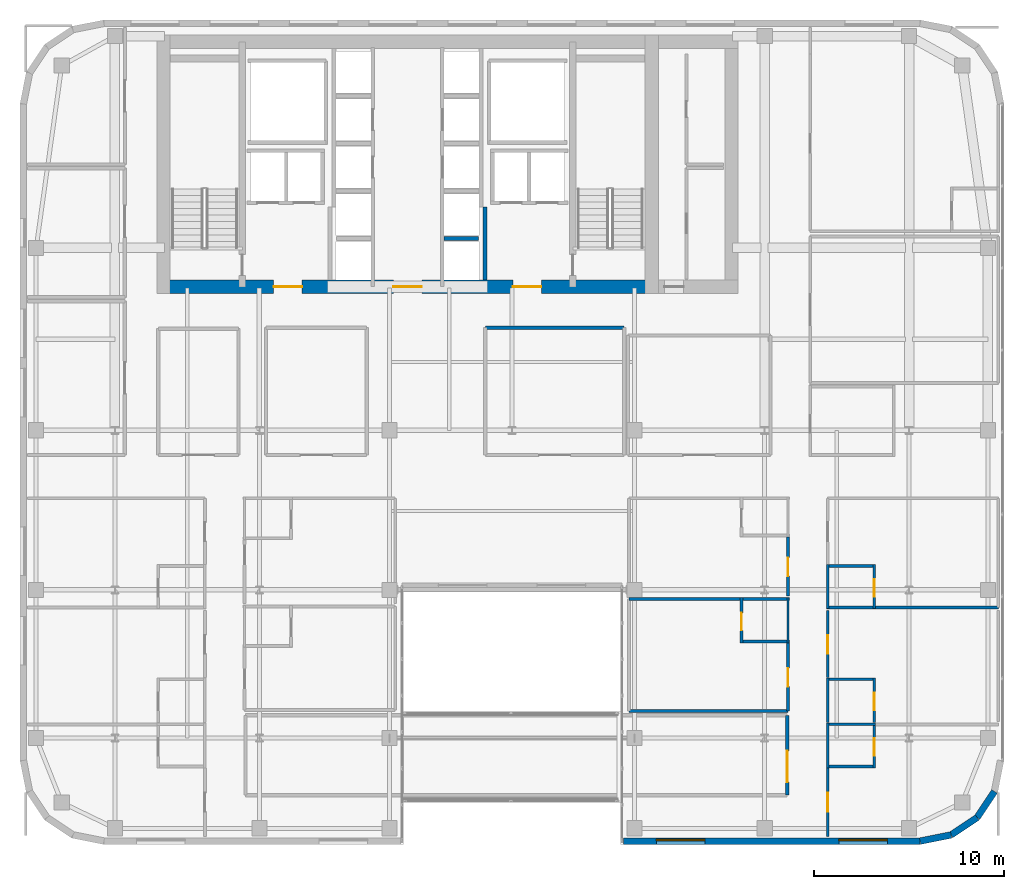
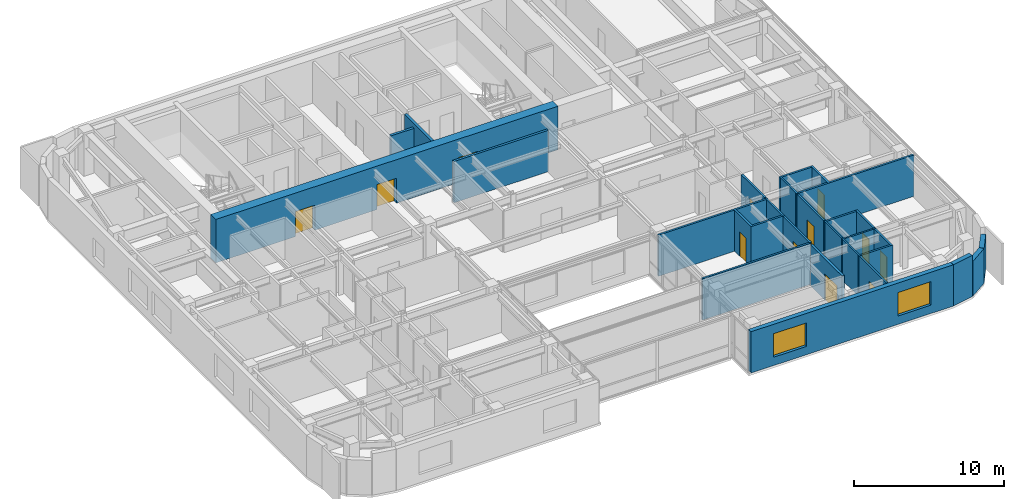
# One storey, part 15 of 20: 30 walls, 12 doors, 2 windows, 14 openings.
"""IFC4 building model written with IfcOpenShell, lengths in metres."""

import ifcopenshell
import ifcopenshell.guid

model = None  # the IFC model being written
_history = None  # IfcOwnerHistory: only IFC2X3 demands one
_inside = {}  # id of a spatial element -> (the spatial element, [elements in it])
_under = {}  # id of a project, library or spatial element -> (it, [spatial elements below it])
_declared = {}  # id of a project -> (the project, [libraries it declares])
_typed = {}  # id of a type object -> (the type object, [elements of that type])
_made_of = {}  # id of a material, layer set ... -> (it, [elements and type objects made of it])


def new_model(schema):
    """Start an empty IFC model of exactly this schema.

    Asked for "IFC4X3", IfcOpenShell would pick the latest addendum, in which some entities
    have other attributes; the version numbers below select the first issue.
    IFC2X3 requires an IfcOwnerHistory on every rooted entity: one is made here for all.
    """
    global model, _history
    if schema == "IFC4X3":
        model = ifcopenshell.file(schema_version=(4, 3, 0, 0))
    else:
        model = ifcopenshell.file(schema=schema)
    _inside.clear()
    _under.clear()
    _declared.clear()
    _typed.clear()
    _made_of.clear()
    _history = None
    if model.schema == "IFC2X3":
        org = make("IfcOrganization", Name="unknown")
        user = make(
            "IfcPersonAndOrganization",
            ThePerson=make("IfcPerson", FamilyName="unknown"),
            TheOrganization=org,
        )
        app = make(
            "IfcApplication",
            ApplicationDeveloper=org,
            Version="unknown",
            ApplicationFullName="unknown",
            ApplicationIdentifier="unknown",
        )
        _history = make(
            "IfcOwnerHistory",
            OwningUser=user,
            OwningApplication=app,
            ChangeAction="ADDED",
            CreationDate=0,
        )
    return model


def make(cls, **values):
    """One entity of the class cls with the attributes given. An attribute that is None is left unset."""
    return model.create_entity(
        cls, **{name: value for name, value in values.items() if value is not None}
    )


def rooted(cls, **values):
    """An entity with a GlobalId (a new one), such as an element, a storey or a relation."""
    return make(cls, GlobalId=ifcopenshell.guid.new(), OwnerHistory=_history, **values)


def si_unit(unit_type, name, prefix=None):
    """IfcSIUnit, for example si_unit("LENGTHUNIT", "METRE", prefix="MILLI")."""
    return make("IfcSIUnit", UnitType=unit_type, Prefix=prefix, Name=name)


def assignment(units):
    """IfcUnitAssignment: the units of a project."""
    return None if units is None else make("IfcUnitAssignment", Units=units)


def point(xyz):
    """IfcCartesianPoint."""
    return None if xyz is None else make("IfcCartesianPoint", Coordinates=xyz)


def direction(xyz):
    """IfcDirection."""
    return None if xyz is None else make("IfcDirection", DirectionRatios=xyz)


def frame(location, z_axis=None, x_axis=None):
    """IfcAxis2Placement3D, a coordinate frame: its origin and axes. An axis left out is left unset."""
    return make(
        "IfcAxis2Placement3D",
        Location=point(location),
        Axis=direction(z_axis),
        RefDirection=direction(x_axis),
    )


def frame_2d(location, x_axis=None):
    """IfcAxis2Placement2D, a coordinate frame in the plane: its origin and x axis."""
    return make(
        "IfcAxis2Placement2D", Location=point(location), RefDirection=direction(x_axis)
    )


def origin():
    """The frame at (0, 0, 0) with its axes left unset."""
    return frame((0.0, 0.0, 0.0))


def place(relative_to, where):
    """IfcLocalPlacement: puts the frame where relative to a parent placement (None: the world)."""
    return make(
        "IfcLocalPlacement", PlacementRelTo=relative_to, RelativePlacement=where
    )


def context(
    kind, dimensions, precision=None, world=None, true_north=None, identifier=None
):
    """IfcGeometricRepresentationContext, for example the 3D "Model" context."""
    return make(
        "IfcGeometricRepresentationContext",
        ContextIdentifier=identifier,
        ContextType=kind,
        CoordinateSpaceDimension=dimensions,
        Precision=precision,
        WorldCoordinateSystem=world,
        TrueNorth=true_north,
    )


def subcontext(parent, identifier, kind, view, scale=None):
    """IfcGeometricRepresentationSubContext, for example "Body" below "Model"."""
    return make(
        "IfcGeometricRepresentationSubContext",
        ContextIdentifier=identifier,
        ContextType=kind,
        ParentContext=parent,
        TargetScale=scale,
        TargetView=view,
    )


def project(units=None, contexts=None):
    """IfcProject with its units and contexts."""
    return rooted(
        "IfcProject",
        Name="project",
        RepresentationContexts=contexts,
        UnitsInContext=assignment(units),
    )


def spatial(cls, under=None, at=None, **own):
    """A site, building, storey or space (cls), placed at a placement, below another one or the project."""
    s = rooted(cls, ObjectPlacement=at, **own)
    if under is not None:
        _under.setdefault(under.id(), (under, []))[1].append(s)
    return s


def profile(cls, at=None, kind="AREA", **sizes):
    """A parametric profile (cls). Its sizes go by their IFC names, for example OverallWidth=200.0."""
    return make(cls, ProfileType=kind, Position=at, **sizes)


def rectangle(**sizes):
    """IfcRectangleProfileDef."""
    return profile("IfcRectangleProfileDef", **sizes)


def extrude(swept, where, along, depth):
    """IfcExtrudedAreaSolid: the profile swept, set in the frame where, extruded along a direction by depth."""
    return make(
        "IfcExtrudedAreaSolid",
        SweptArea=swept,
        Position=where,
        ExtrudedDirection=direction(along),
        Depth=depth,
    )


def shape(context_of_items, identifier, shape_type, items):
    """IfcShapeRepresentation: the items that make up one representation, for example the "Body"."""
    return make(
        "IfcShapeRepresentation",
        ContextOfItems=context_of_items,
        RepresentationIdentifier=identifier,
        RepresentationType=shape_type,
        Items=items,
    )


def source(mapping_origin, context_of_items, identifier, shape_type, items):
    """IfcRepresentationMap: a shape defined once, which mapped items show again and again."""
    return make(
        "IfcRepresentationMap",
        MappingOrigin=mapping_origin,
        MappedRepresentation=shape(context_of_items, identifier, shape_type, items),
    )


def transform(
    local_origin,
    x_axis=None,
    y_axis=None,
    z_axis=None,
    scale=None,
    scale2=None,
    scale3=None,
    uniform=True,
):
    """IfcCartesianTransformationOperator3D, or its non-uniform kind. x_axis, y_axis, z_axis: its Axis1, 2, 3."""
    if uniform:
        return make(
            "IfcCartesianTransformationOperator3D",
            Axis1=direction(x_axis),
            Axis2=direction(y_axis),
            LocalOrigin=point(local_origin),
            Scale=scale,
            Axis3=direction(z_axis),
        )
    return make(
        "IfcCartesianTransformationOperator3DnonUniform",
        Axis1=direction(x_axis),
        Axis2=direction(y_axis),
        LocalOrigin=point(local_origin),
        Scale=scale,
        Axis3=direction(z_axis),
        Scale2=scale2,
        Scale3=scale3,
    )


def mapped(mapping_source, mapping_target):
    """IfcMappedItem: shows the shape of a source again, moved by a transform."""
    return make(
        "IfcMappedItem", MappingSource=mapping_source, MappingTarget=mapping_target
    )


def material(Name=None, Category=None):
    """IfcMaterial."""
    return make("IfcMaterial", Name=Name, Category=Category)


def layer(
    of_material, thickness, ventilated=None, Name=None, Category=None, Priority=None
):
    """IfcMaterialLayer: one layer of a wall or slab, of a material (None: an air gap)."""
    return make(
        "IfcMaterialLayer",
        Material=of_material,
        LayerThickness=thickness,
        IsVentilated=ventilated,
        Name=Name,
        Category=Category,
        Priority=Priority,
    )


def layer_set(layers, Name=None):
    """IfcMaterialLayerSet."""
    return make("IfcMaterialLayerSet", MaterialLayers=layers, LayerSetName=Name)


def made_of(thing, what):
    """Note that an element or type object is made of a material, layer set ...; save() writes the relation."""
    if what is not None:
        _made_of.setdefault(what.id(), (what, []))[1].append(thing)
    return thing


def type_object(cls, material=None, **own):
    """A type object (cls), such as IfcWallType, which elements share."""
    return made_of(rooted(cls, **own), material)


def type_shapes(of_type, sources):
    """Give a type object the sources (RepresentationMaps) that its elements show as mapped items."""
    of_type.RepresentationMaps = sources


def element(
    cls,
    number,
    at=None,
    inside=None,
    cuts=None,
    type_object=None,
    material=None,
    context=None,
    identifier="Body",
    shape_type=None,
    held_by="IfcProductDefinitionShape",
    body=None,
    shapes=None,
    **own,
):
    """One element of the class cls, such as IfcWall. Its Tag is "e" and its number.

    at: its placement. inside: the storey or other place that contains it. cuts: it is an
    opening in that element (IfcRelVoidsElement). A single representation is given by context,
    identifier, shape_type and body (its items); several are given by shapes. held_by: the class
    of the entity that holds the representations. save() writes the other relations.
    """
    e = rooted(cls, Tag="e%d" % number, ObjectPlacement=at, **own)
    if body is not None:
        shapes = [shape(context, identifier, shape_type, body)]
    if shapes is not None:
        e.Representation = make(held_by, Representations=shapes)
    if inside is not None:
        _inside.setdefault(inside.id(), (inside, []))[1].append(e)
    if cuts is not None:
        rooted(
            "IfcRelVoidsElement", RelatingBuildingElement=cuts, RelatedOpeningElement=e
        )
    if type_object is not None:
        _typed.setdefault(type_object.id(), (type_object, []))[1].append(e)
    return made_of(e, material)


def fill(opening, filler):
    """IfcRelFillsElement: the door or window that sits in an opening."""
    return rooted(
        "IfcRelFillsElement",
        RelatingOpeningElement=opening,
        RelatedBuildingElement=filler,
    )


def aggregate(whole, parts):
    """IfcRelAggregates: a whole, such as a stair, and the parts it consists of."""
    return rooted("IfcRelAggregates", RelatingObject=whole, RelatedObjects=parts)


def save(model, path):
    """Write the relations noted so far, then the file.

    IfcRelAggregates (storeys below a building ...), IfcRelContainedInSpatialStructure (elements
    in a storey), IfcRelDefinesByType, IfcRelAssociatesMaterial and IfcRelDeclares: one each for
    every whole, place, type object, material and project.
    """
    for whole, parts in _under.values():
        aggregate(whole, parts)
    for where, things in _inside.values():
        rooted(
            "IfcRelContainedInSpatialStructure",
            RelatedElements=things,
            RelatingStructure=where,
        )
    for kind, things in _typed.values():
        rooted("IfcRelDefinesByType", RelatedObjects=things, RelatingType=kind)
    for what, things in _made_of.values():
        rooted("IfcRelAssociatesMaterial", RelatedObjects=things, RelatingMaterial=what)
    for by, libraries in _declared.values():
        rooted("IfcRelDeclares", RelatingContext=by, RelatedDefinitions=libraries)
    model.write(path)


model = new_model("IFC4")

# Units and contexts
model_context = context("Model", 3, precision=1e-05, world=origin(), true_north=direction((0.0, 1.0)))
body_context = subcontext(model_context, "Body", "Model", "MODEL_VIEW")
ifc_project = project(units=[si_unit("LENGTHUNIT", "METRE"), si_unit("AREAUNIT", "SQUARE_METRE"), si_unit("VOLUMEUNIT", "CUBIC_METRE"), si_unit("PLANEANGLEUNIT", "RADIAN"), si_unit("MASSUNIT", "GRAM", prefix="KILO")], contexts=[model_context])

# Site, building, storey
site_placement = place(None, origin())
site = spatial("IfcSite", under=ifc_project, at=site_placement, CompositionType="ELEMENT")
building_placement = place(site_placement, origin())
building = spatial("IfcBuilding", under=site, at=building_placement, Name="Tolvann Quenvar Hotel", CompositionType="ELEMENT")
storey_placement = place(building_placement, frame((0.0, 0.0, 171.89990234375)))
storey = spatial("IfcBuildingStorey", under=building, at=storey_placement, Name="L45", CompositionType="ELEMENT", Elevation=171.89990234375)

# Wall, openings, doors
ifc_material_1 = material(Name="Concrete S65 (65 MPa)", Category="concrete")
ifc_layer_1 = layer(ifc_material_1, 0.699951171875)
ifc_layer_set_1 = layer_set([ifc_layer_1], Name="Concrete S65 (65 MPa)")
wall_type_1 = type_object("IfcWallType", Name="WALL_CORE_700", PredefinedType="SHEAR", material=ifc_layer_set_1)
wall_1_placement = place(storey_placement, frame((9.800048828125, 31.949951171875, 0.0), z_axis=(0.0, 0.0, 1.0), x_axis=(1.0, 0.0, 0.0)))
wall_1 = element("IfcWall", 1, at=wall_1_placement, inside=storey, type_object=wall_type_1, Name="Rear Core S Shear Wall (L45)", PredefinedType="SHEAR", context=body_context, shape_type="SweptSolid", body=[
    extrude(rectangle(XDim=26.39990234375, YDim=0.699951171875, at=frame_2d((13.199951171875, 0.0))), origin(), (0.0, 0.0, 1.0), 3.550048828125),
])
opening_1_placement = place(wall_1_placement, frame((7.64990234375, 0.0, 0.0), z_axis=(0.0, 0.0, 1.0), x_axis=(-1.0, 0.0, 0.0)))
opening_1 = element("IfcOpeningElement", 2, at=opening_1_placement, cuts=wall_1, Name="Opening FD-60D", PredefinedType="OPENING", context=body_context, shape_type="SweptSolid", body=[
    extrude(rectangle(XDim=1.5, YDim=2.0400390625, at=frame_2d((0.75, 1.02001953125))), frame((0.0, 0.35986328125, 0.0), z_axis=(0.0, -1.0, 0.0), x_axis=(1.0, 0.0, 0.0)), (0.0, 0.0, 1.0), 0.719970703125),
])
opening_2_placement = place(wall_1_placement, frame((13.949951171875, 0.0, 0.0), z_axis=(0.0, 0.0, 1.0), x_axis=(-1.0, 0.0, 0.0)))
opening_2 = element("IfcOpeningElement", 3, at=opening_2_placement, cuts=wall_1, Name="Opening FD-60D", PredefinedType="OPENING", context=body_context, shape_type="SweptSolid", body=[
    extrude(rectangle(XDim=1.5, YDim=2.0400390625, at=frame_2d((0.75, 1.02001953125))), frame((0.0, 0.35986328125, 0.0), z_axis=(0.0, -1.0, 0.0), x_axis=(1.0, 0.0, 0.0)), (0.0, 0.0, 1.0), 0.719970703125),
])
opening_3_placement = place(wall_1_placement, frame((20.25, 0.0, 0.0), z_axis=(0.0, 0.0, 1.0), x_axis=(-1.0, 0.0, 0.0)))
opening_3 = element("IfcOpeningElement", 4, at=opening_3_placement, cuts=wall_1, Name="Opening FD-60D", PredefinedType="OPENING", context=body_context, shape_type="SweptSolid", body=[
    extrude(rectangle(XDim=1.5, YDim=2.0400390625, at=frame_2d((0.75, 1.02001953125))), frame((0.0, 0.35986328125, 0.0), z_axis=(0.0, -1.0, 0.0), x_axis=(1.0, 0.0, 0.0)), (0.0, 0.0, 1.0), 0.719970703125),
])
ifc_material_2 = material(Name="Solid-core American oak acoustic fire door leaf in steel frame", Category="steel")
door_type_1 = type_object("IfcDoorType", Name="DOOR_FIRE_LOBBY_1500", OperationType="NOTDEFINED", PredefinedType="DOOR", material=ifc_material_2)
shared_shape_1 = source(origin(), body_context, "Body", "SweptSolid", [
    extrude(rectangle(XDim=1.5, YDim=2.0400390625, at=frame_2d((0.75, 1.02001953125))), frame((0.0, 0.02490234375, 0.0), z_axis=(0.0, -1.0, 0.0), x_axis=(1.0, 0.0, 0.0)), (0.0, 0.0, 1.0), 0.050048828125),
])
type_shapes(door_type_1, [shared_shape_1])
door_1_placement = place(opening_1_placement, origin())
door_1 = element("IfcDoor", 5, at=door_1_placement, inside=storey, type_object=door_type_1, Name="Core Lobby Fire Door FFW (L45)", OperationType="DOUBLE_DOOR_SINGLE_SWING", OverallHeight=2.0400390625, OverallWidth=1.5, PredefinedType="DOOR", context=body_context, shape_type="MappedRepresentation", body=[
    mapped(shared_shape_1, transform((0.0, 0.0, 0.0), x_axis=(1.0, 0.0, 0.0), y_axis=(0.0, 1.0, 0.0), z_axis=(0.0, 0.0, 1.0), scale=1.0)),
])
fill(opening_1, door_1)
door_2_placement = place(opening_2_placement, origin())
door_2 = element("IfcDoor", 6, at=door_2_placement, inside=storey, type_object=door_type_1, Name="Core Lobby Fire Door CLOB (L45)", OperationType="DOUBLE_DOOR_SINGLE_SWING", OverallHeight=2.0400390625, OverallWidth=1.5, PredefinedType="DOOR", context=body_context, shape_type="MappedRepresentation", body=[
    mapped(shared_shape_1, transform((0.0, 0.0, 0.0), x_axis=(1.0, 0.0, 0.0), y_axis=(0.0, 1.0, 0.0), z_axis=(0.0, 0.0, 1.0), scale=1.0)),
])
fill(opening_2, door_2)
door_3_placement = place(opening_3_placement, origin())
door_3 = element("IfcDoor", 7, at=door_3_placement, inside=storey, type_object=door_type_1, Name="Core Lobby Fire Door FFE (L45)", OperationType="DOUBLE_DOOR_SINGLE_SWING", OverallHeight=2.0400390625, OverallWidth=1.5, PredefinedType="DOOR", context=body_context, shape_type="MappedRepresentation", body=[
    mapped(shared_shape_1, transform((0.0, 0.0, 0.0), x_axis=(1.0, 0.0, 0.0), y_axis=(0.0, 1.0, 0.0), z_axis=(0.0, 0.0, 1.0), scale=1.0)),
])
fill(opening_3, door_3)

# Wall, openings, windows
ifc_material_3 = material(Name="Kiln-fired red and buff architectural clay brickwork and terracotta masonry", Category="masonry")
ifc_layer_2 = layer(ifc_material_3, 0.35009765625)
ifc_layer_set_2 = layer_set([ifc_layer_2], Name="Kiln-fired red and buff architectural clay brickwork and terracotta masonry")
wall_type_2 = type_object("IfcWallType", Name="WALL_EXT_BRICK_350", PredefinedType="SOLIDWALL", material=ifc_layer_set_2)
wall_2_placement = place(storey_placement, frame((34.375, 2.77490234375, 0.0), z_axis=(0.0, 0.0, 1.0), x_axis=(1.0, 0.0, 0.0)))
wall_2 = element("IfcWall", 8, at=wall_2_placement, inside=storey, type_object=wall_type_2, Name="Exterior Chicago Brick Wall L45-E08", PredefinedType="SOLIDWALL", context=body_context, shape_type="SweptSolid", body=[
    extrude(rectangle(XDim=15.60791015625, YDim=0.35009765625, at=frame_2d((7.803955078125, 0.0))), origin(), (0.0, 0.0, 1.0), 3.3701171875),
])
opening_4_placement = place(wall_2_placement, frame((1.72607421875, 0.0, 0.679931640625)))
opening_4 = element("IfcOpeningElement", 9, at=opening_4_placement, cuts=wall_2, Name="Opening W-09", PredefinedType="OPENING", context=body_context, shape_type="SweptSolid", body=[
    extrude(rectangle(XDim=2.550048828125, YDim=1.919921875, at=frame_2d((1.27490234375, 0.9599609375))), frame((0.0, 0.18505859375, 0.0), z_axis=(0.0, -1.0, 0.0), x_axis=(1.0, 0.0, 0.0)), (0.0, 0.0, 1.0), 0.3701171875),
])
opening_5_placement = place(wall_2_placement, frame((11.3310546875, 0.0, 0.679931640625)))
opening_5 = element("IfcOpeningElement", 10, at=opening_5_placement, cuts=wall_2, Name="Opening W-09", PredefinedType="OPENING", context=body_context, shape_type="SweptSolid", body=[
    extrude(rectangle(XDim=2.550048828125, YDim=1.919921875, at=frame_2d((1.27490234375, 0.9599609375))), frame((0.0, 0.18505859375, 0.0), z_axis=(0.0, -1.0, 0.0), x_axis=(1.0, 0.0, 0.0)), (0.0, 0.0, 1.0), 0.3701171875),
])
ifc_material_4 = material(Name="Thermally broken bronze-anodised aluminium frame with double low-E glazing", Category="aluminium")
window_type = type_object("IfcWindowType", Name="WIN_LNG_2550x1950", PartitioningType="TRIPLE_PANEL_HORIZONTAL", PredefinedType="WINDOW", material=ifc_material_4)
shared_shape_2 = source(origin(), body_context, "Body", "SweptSolid", [
    extrude(rectangle(XDim=2.550048828125, YDim=1.919921875, at=frame_2d((1.27490234375, 0.9599609375))), frame((0.0, 0.090087890625, 0.0), z_axis=(0.0, -1.0, 0.0), x_axis=(1.0, 0.0, 0.0)), (0.0, 0.0, 1.0), 0.06005859375),
])
type_shapes(window_type, [shared_shape_2])
window_1_placement = place(opening_4_placement, origin())
window_1 = element("IfcWindow", 11, at=window_1_placement, inside=storey, type_object=window_type, Name="Chicago Window W-09 (EW-L45-E08-W01)", OverallHeight=1.919921875, OverallWidth=2.550048828125, PartitioningType="TRIPLE_PANEL_HORIZONTAL", PredefinedType="WINDOW", context=body_context, shape_type="MappedRepresentation", body=[
    mapped(shared_shape_2, transform((0.0, 0.0, 0.0), x_axis=(1.0, 0.0, 0.0), y_axis=(0.0, 1.0, 0.0), z_axis=(0.0, 0.0, 1.0), scale=1.0)),
])
fill(opening_4, window_1)
window_2_placement = place(opening_5_placement, origin())
window_2 = element("IfcWindow", 12, at=window_2_placement, inside=storey, type_object=window_type, Name="Chicago Window W-09 (EW-L45-E08-W02)", OverallHeight=1.919921875, OverallWidth=2.550048828125, PartitioningType="TRIPLE_PANEL_HORIZONTAL", PredefinedType="WINDOW", context=body_context, shape_type="MappedRepresentation", body=[
    mapped(shared_shape_2, transform((0.0, 0.0, 0.0), x_axis=(1.0, 0.0, 0.0), y_axis=(0.0, 1.0, 0.0), z_axis=(0.0, 0.0, 1.0), scale=1.0)),
])
fill(opening_5, window_2)

# Walls
wall_3_placement = place(storey_placement, frame((49.98291015625, 2.77490234375, 0.0), z_axis=(0.0, 0.0, 1.0), x_axis=(0.980788844421, 0.195072403631, 0.0)))
element("IfcWall", 13, at=wall_3_placement, inside=storey, type_object=wall_type_2, Name="Exterior Chicago Brick Wall L45-E09", PredefinedType="SOLIDWALL", context=body_context, shape_type="SweptSolid", body=[
    extrude(rectangle(XDim=1.66455078125, YDim=0.35009765625, at=frame_2d((0.832275390625, 0.0))), origin(), (0.0, 0.0, 1.0), 3.3701171875),
])
for number, where, z_axis, x_axis, name in (
    (14, (51.615478515625, 3.099609375, 0.0), (0.0, 0.0, 1.0), (0.831434158098, 0.555623290322, 0.0), "Exterior Chicago Brick Wall L45-E10"),
    (15, (52.985107421875, 4.014892578125, 0.0), (0.0, 0.0, 1.0), (0.555623290322, 0.831434158098, 0.0), "Exterior Chicago Brick Wall L45-E11"),
):
    element("IfcWall", number, at=place(storey_placement, frame(where, z_axis=z_axis, x_axis=x_axis)), inside=storey, type_object=wall_type_2, Name=name, PredefinedType="SOLIDWALL", context=body_context, shape_type="SweptSolid", body=[
        extrude(rectangle(XDim=1.647216796875, YDim=0.35009765625, at=frame_2d((0.82373046875, 0.0))), origin(), (0.0, 0.0, 1.0), 2.83203125),
    ])
ifc_material_5 = material(Name="Acoustic twin-stud fire-rated gypsum plasterboard partition")
ifc_layer_3 = layer(ifc_material_5, 0.179931640625)
ifc_layer_set_3 = layer_set([ifc_layer_3], Name="Acoustic twin-stud fire-rated gypsum plasterboard partition")
wall_type_3 = type_object("IfcWallType", Name="WALL_PART_ACOUSTIC_180", PredefinedType="PARTITIONING", material=ifc_layer_set_3)
wall_4_placement = place(storey_placement, frame((27.10009765625, 29.800048828125, 0.0), z_axis=(0.0, 0.0, 1.0), x_axis=(1.0, 0.0, 0.0)))
element("IfcWall", 16, at=wall_4_placement, inside=storey, type_object=wall_type_3, Name="Interior Partition PT-SPC-L45-MSP-C-N", PredefinedType="PARTITIONING", context=body_context, shape_type="SweptSolid", body=[
    extrude(rectangle(XDim=7.2998046875, YDim=0.179931640625, at=frame_2d((3.64990234375, 0.0))), origin(), (0.0, 0.0, 1.0), 3.3701171875),
])

# Wall, opening, door
wall_5_placement = place(storey_placement, frame((42.97998046875, 5.199951171875, 0.0), z_axis=(0.0, 0.0, 1.0), x_axis=(0.0, 1.0, 0.0)))
wall_5 = element("IfcWall", 17, at=wall_5_placement, inside=storey, type_object=wall_type_3, Name="Interior Partition PT-SPC-L45-BRG-E", PredefinedType="PARTITIONING", context=body_context, shape_type="SweptSolid", body=[
    extrude(rectangle(XDim=4.199951171875, YDim=0.179931640625, at=frame_2d((2.10009765625, 0.0))), origin(), (0.0, 0.0, 1.0), 3.3701171875),
])
opening_6_placement = place(wall_5_placement, frame((0.675048828125, 0.0, 0.0)))
opening_6 = element("IfcOpeningElement", 18, at=opening_6_placement, cuts=wall_5, Name="Opening AD-01", PredefinedType="OPENING", context=body_context, shape_type="SweptSolid", body=[
    extrude(rectangle(XDim=1.64990234375, YDim=2.14990234375, at=frame_2d((0.824951171875, 1.074951171875))), frame((0.0, 0.10009765625, 0.0), z_axis=(0.0, -1.0, 0.0), x_axis=(1.0, 0.0, 0.0)), (0.0, 0.0, 1.0), 0.199951171875),
])
door_type_2 = type_object("IfcDoorType", Name="DOOR_SALON_1650", OperationType="NOTDEFINED", PredefinedType="DOOR", material=ifc_material_2)
shared_shape_3 = source(origin(), body_context, "Body", "SweptSolid", [
    extrude(rectangle(XDim=1.64990234375, YDim=2.14990234375, at=frame_2d((0.824951171875, 1.074951171875))), frame((0.0, 0.02490234375, 0.0), z_axis=(0.0, -1.0, 0.0), x_axis=(1.0, 0.0, 0.0)), (0.0, 0.0, 1.0), 0.050048828125),
])
type_shapes(door_type_2, [shared_shape_3])
door_4_placement = place(opening_6_placement, origin())
door_4 = element("IfcDoor", 19, at=door_4_placement, inside=storey, type_object=door_type_2, Name="Interior Door DOOR-SPC-L45-BRG", OperationType="DOUBLE_DOOR_SINGLE_SWING", OverallHeight=2.14990234375, OverallWidth=1.64990234375, PredefinedType="DOOR", context=body_context, shape_type="MappedRepresentation", body=[
    mapped(shared_shape_3, transform((0.0, 0.0, 0.0), x_axis=(1.0, 0.0, 0.0), y_axis=(0.0, 1.0, 0.0), z_axis=(0.0, 0.0, 1.0), scale=1.0)),
])
fill(opening_6, door_4)

# Walls
ifc_material_6 = material(Name="Moisture-resistant acoustic plumbing wall assembly")
ifc_layer_4 = layer(ifc_material_6, 0.1201171875)
ifc_layer_set_4 = layer_set([ifc_layer_4], Name="Moisture-resistant acoustic plumbing wall assembly")
wall_type_4 = type_object("IfcWallType", Name="WALL_PART_BATH_120", PredefinedType="PLUMBINGWALL", material=ifc_layer_set_4)
wall_6_placement = place(storey_placement, frame((43.030029296875, 13.2119140625, 0.0), z_axis=(0.0, 0.0, 1.0), x_axis=(0.0, 1.0, 0.0)))
element("IfcWall", 20, at=wall_6_placement, inside=storey, type_object=wall_type_4, Name="Non-Rated Plumbing Partition PT-SPC-L45-ENS-EI01-E", PredefinedType="PLUMBINGWALL", context=body_context, shape_type="SweptSolid", body=[
    extrude(rectangle(XDim=2.378173828125, YDim=0.1201171875, at=frame_2d((1.18896484375, 0.0))), origin(), (0.0, 0.0, 1.0), 3.3701171875),
])
wall_7_placement = place(storey_placement, frame((45.050048828125, 8.919921875, 0.0), z_axis=(0.0, 0.0, 1.0), x_axis=(1.0, 0.0, 0.0)))
element("IfcWall", 21, at=wall_7_placement, inside=storey, type_object=wall_type_4, Name="Non-Rated Plumbing Partition PT-SPC-L45-ENS-EO01-N", PredefinedType="PLUMBINGWALL", context=body_context, shape_type="SweptSolid", body=[
    extrude(rectangle(XDim=2.58984375, YDim=0.1201171875, at=frame_2d((1.294921875, 0.0))), origin(), (0.0, 0.0, 1.0), 3.3701171875),
])
for number, where, z_axis, x_axis, name in (
    (22, (45.1201171875, 6.631103515625, 0.0), (0.0, 0.0, 1.0), (0.0, 1.0, 0.0), "Non-Rated Plumbing Partition PT-SPC-L45-ENS-EO01-W"),
    (23, (45.1201171875, 9.010009765625, 0.0), (0.0, 0.0, 1.0), (0.0, 1.0, 0.0), "Non-Rated Plumbing Partition PT-SPC-L45-ENS-EO02-W"),
):
    element("IfcWall", number, at=place(storey_placement, frame(where, z_axis=z_axis, x_axis=x_axis)), inside=storey, type_object=wall_type_4, Name=name, PredefinedType="PLUMBINGWALL", context=body_context, shape_type="SweptSolid", body=[
        extrude(rectangle(XDim=2.35888671875, YDim=0.1201171875, at=frame_2d((1.179443359375, 0.0))), origin(), (0.0, 0.0, 1.0), 3.3701171875),
    ])
wall_8_placement = place(storey_placement, frame((45.1201171875, 15.010009765625, 0.0), z_axis=(0.0, 0.0, 1.0), x_axis=(0.0, 1.0, 0.0)))
element("IfcWall", 24, at=wall_8_placement, inside=storey, type_object=wall_type_4, Name="Non-Rated Plumbing Partition PT-SPC-L45-ENS-EO03-W", PredefinedType="PLUMBINGWALL", context=body_context, shape_type="SweptSolid", body=[
    extrude(rectangle(XDim=2.321044921875, YDim=0.1201171875, at=frame_2d((1.16064453125, 0.0))), origin(), (0.0, 0.0, 1.0), 3.3701171875),
])

# Wall, opening, door
ifc_layer_5 = layer(ifc_material_5, 0.14990234375)
ifc_layer_set_5 = layer_set([ifc_layer_5], Name="Acoustic twin-stud fire-rated gypsum plasterboard partition")
wall_type_5 = type_object("IfcWallType", Name="WALL_PART_SUITE_150", PredefinedType="PARTITIONING", material=ifc_layer_set_5)
wall_9_placement = place(storey_placement, frame((40.580078125, 13.2119140625, 0.0), z_axis=(0.0, 0.0, 1.0), x_axis=(0.0, 1.0, 0.0)))
wall_9 = element("IfcWall", 25, at=wall_9_placement, inside=storey, type_object=wall_type_5, Name="Interior Partition PT-SPC-L45-ENS-EI01-ENT", PredefinedType="PARTITIONING", context=body_context, shape_type="SweptSolid", body=[
    extrude(rectangle(XDim=2.378173828125, YDim=0.14990234375, at=frame_2d((1.18896484375, 0.0))), origin(), (0.0, 0.0, 1.0), 3.3701171875),
])
opening_7_placement = place(wall_9_placement, frame((0.658935546875, 0.0, 0.0)))
opening_7 = element("IfcOpeningElement", 26, at=opening_7_placement, cuts=wall_9, Name="Opening WD-01", PredefinedType="OPENING", context=body_context, shape_type="SweptSolid", body=[
    extrude(rectangle(XDim=0.919921875, YDim=2.010009765625, at=frame_2d((0.4599609375, 1.0048828125))), frame((0.0, 0.0849609375, 0.0), z_axis=(0.0, -1.0, 0.0), x_axis=(1.0, 0.0, 0.0)), (0.0, 0.0, 1.0), 0.169921875),
])
door_type_3 = type_object("IfcDoorType", Name="DOOR_WC_920", OperationType="NOTDEFINED", PredefinedType="DOOR", material=ifc_material_2)
shared_shape_4 = source(origin(), body_context, "Body", "SweptSolid", [
    extrude(rectangle(XDim=0.919921875, YDim=2.010009765625, at=frame_2d((0.4599609375, 1.0048828125))), frame((0.0, 0.02490234375, 0.0), z_axis=(0.0, -1.0, 0.0), x_axis=(1.0, 0.0, 0.0)), (0.0, 0.0, 1.0), 0.050048828125),
])
type_shapes(door_type_3, [shared_shape_4])
door_5_placement = place(opening_7_placement, origin())
door_5 = element("IfcDoor", 27, at=door_5_placement, inside=storey, type_object=door_type_3, Name="Interior Door DOOR-SPC-L45-ENS-EI01", OperationType="SINGLE_SWING_LEFT", OverallHeight=2.010009765625, OverallWidth=0.919921875, PredefinedType="DOOR", context=body_context, shape_type="MappedRepresentation", body=[
    mapped(shared_shape_4, transform((0.0, 0.0, 0.0), x_axis=(1.0, 0.0, 0.0), y_axis=(0.0, 1.0, 0.0), z_axis=(0.0, 0.0, 1.0), scale=1.0)),
])
fill(opening_7, door_5)

# Walls
for number, where, z_axis, x_axis, name in (
    (28, (40.510009765625, 13.281982421875, 0.0), (0.0, 0.0, 1.0), (1.0, 0.0, 0.0), "Interior Partition PT-SPC-L45-ENS-EI01-S"),
    (29, (40.510009765625, 15.52001953125, 0.0), (0.0, 0.0, 1.0), (1.0, 0.0, 0.0), "Interior Partition PT-SPC-L45-ENS-EI01-N"),
):
    element("IfcWall", number, at=place(storey_placement, frame(where, z_axis=z_axis, x_axis=x_axis)), inside=storey, type_object=wall_type_5, Name=name, PredefinedType="PARTITIONING", context=body_context, shape_type="SweptSolid", body=[
        extrude(rectangle(XDim=2.590087890625, YDim=0.14990234375, at=frame_2d((1.294921875, 0.0))), origin(), (0.0, 0.0, 1.0), 3.3701171875),
    ])

# Wall, opening, door
wall_10_placement = place(storey_placement, frame((47.570068359375, 6.631103515625, 0.0), z_axis=(0.0, 0.0, 1.0), x_axis=(0.0, 1.0, 0.0)))
wall_10 = element("IfcWall", 30, at=wall_10_placement, inside=storey, type_object=wall_type_5, Name="Interior Partition PT-SPC-L45-ENS-EO01-ENT", PredefinedType="PARTITIONING", context=body_context, shape_type="SweptSolid", body=[
    extrude(rectangle(XDim=2.35888671875, YDim=0.14990234375, at=frame_2d((1.179443359375, 0.0))), origin(), (0.0, 0.0, 1.0), 3.3701171875),
])
opening_8_placement = place(wall_10_placement, frame((0.6494140625, 0.0, 0.0)))
opening_8 = element("IfcOpeningElement", 31, at=opening_8_placement, cuts=wall_10, Name="Opening WD-01", PredefinedType="OPENING", context=body_context, shape_type="SweptSolid", body=[
    extrude(rectangle(XDim=0.919921875, YDim=2.010009765625, at=frame_2d((0.4599609375, 1.0048828125))), frame((0.0, 0.0849609375, 0.0), z_axis=(0.0, -1.0, 0.0), x_axis=(1.0, 0.0, 0.0)), (0.0, 0.0, 1.0), 0.169921875),
])
door_6_placement = place(opening_8_placement, origin())
door_6 = element("IfcDoor", 32, at=door_6_placement, inside=storey, type_object=door_type_3, Name="Interior Door DOOR-SPC-L45-ENS-EO01", OperationType="SINGLE_SWING_LEFT", OverallHeight=2.010009765625, OverallWidth=0.919921875, PredefinedType="DOOR", context=body_context, shape_type="MappedRepresentation", body=[
    mapped(shared_shape_4, transform((0.0, 0.0, 0.0), x_axis=(1.0, 0.0, 0.0), y_axis=(0.0, 1.0, 0.0), z_axis=(0.0, 0.0, 1.0), scale=1.0)),
])
fill(opening_8, door_6)

# Wall
wall_11_placement = place(storey_placement, frame((45.050048828125, 6.700927734375, 0.0), z_axis=(0.0, 0.0, 1.0), x_axis=(1.0, 0.0, 0.0)))
element("IfcWall", 33, at=wall_11_placement, inside=storey, type_object=wall_type_5, Name="Interior Partition PT-SPC-L45-ENS-EO01-S", PredefinedType="PARTITIONING", context=body_context, shape_type="SweptSolid", body=[
    extrude(rectangle(XDim=2.58984375, YDim=0.14990234375, at=frame_2d((1.294921875, 0.0))), origin(), (0.0, 0.0, 1.0), 3.3701171875),
])

# Wall, opening, door
wall_12_placement = place(storey_placement, frame((47.570068359375, 9.010009765625, 0.0), z_axis=(0.0, 0.0, 1.0), x_axis=(0.0, 1.0, 0.0)))
wall_12 = element("IfcWall", 34, at=wall_12_placement, inside=storey, type_object=wall_type_5, Name="Interior Partition PT-SPC-L45-ENS-EO02-ENT", PredefinedType="PARTITIONING", context=body_context, shape_type="SweptSolid", body=[
    extrude(rectangle(XDim=2.35888671875, YDim=0.14990234375, at=frame_2d((1.179443359375, 0.0))), origin(), (0.0, 0.0, 1.0), 3.3701171875),
])
opening_9_placement = place(wall_12_placement, frame((0.6494140625, 0.0, 0.0)))
opening_9 = element("IfcOpeningElement", 35, at=opening_9_placement, cuts=wall_12, Name="Opening WD-01", PredefinedType="OPENING", context=body_context, shape_type="SweptSolid", body=[
    extrude(rectangle(XDim=0.919921875, YDim=2.010009765625, at=frame_2d((0.4599609375, 1.0048828125))), frame((0.0, 0.0849609375, 0.0), z_axis=(0.0, -1.0, 0.0), x_axis=(1.0, 0.0, 0.0)), (0.0, 0.0, 1.0), 0.169921875),
])
door_7_placement = place(opening_9_placement, origin())
door_7 = element("IfcDoor", 36, at=door_7_placement, inside=storey, type_object=door_type_3, Name="Interior Door DOOR-SPC-L45-ENS-EO02", OperationType="SINGLE_SWING_RIGHT", OverallHeight=2.010009765625, OverallWidth=0.919921875, PredefinedType="DOOR", context=body_context, shape_type="MappedRepresentation", body=[
    mapped(shared_shape_4, transform((0.0, 0.0, 0.0), x_axis=(1.0, 0.0, 0.0), y_axis=(0.0, 1.0, 0.0), z_axis=(0.0, 0.0, 1.0), scale=1.0)),
])
fill(opening_9, door_7)

# Wall
wall_13_placement = place(storey_placement, frame((45.050048828125, 11.299072265625, 0.0), z_axis=(0.0, 0.0, 1.0), x_axis=(1.0, 0.0, 0.0)))
element("IfcWall", 37, at=wall_13_placement, inside=storey, type_object=wall_type_5, Name="Interior Partition PT-SPC-L45-ENS-EO02-N", PredefinedType="PARTITIONING", context=body_context, shape_type="SweptSolid", body=[
    extrude(rectangle(XDim=2.58984375, YDim=0.14990234375, at=frame_2d((1.294921875, 0.0))), origin(), (0.0, 0.0, 1.0), 3.3701171875),
])

# Wall, opening, door
wall_14_placement = place(storey_placement, frame((47.570068359375, 15.010009765625, 0.0), z_axis=(0.0, 0.0, 1.0), x_axis=(0.0, 1.0, 0.0)))
wall_14 = element("IfcWall", 38, at=wall_14_placement, inside=storey, type_object=wall_type_5, Name="Interior Partition PT-SPC-L45-ENS-EO03-ENT", PredefinedType="PARTITIONING", context=body_context, shape_type="SweptSolid", body=[
    extrude(rectangle(XDim=2.321044921875, YDim=0.14990234375, at=frame_2d((1.16064453125, 0.0))), origin(), (0.0, 0.0, 1.0), 3.3701171875),
])
opening_10_placement = place(wall_14_placement, frame((0.630615234375, 0.0, 0.0)))
opening_10 = element("IfcOpeningElement", 39, at=opening_10_placement, cuts=wall_14, Name="Opening WD-01", PredefinedType="OPENING", context=body_context, shape_type="SweptSolid", body=[
    extrude(rectangle(XDim=0.919921875, YDim=2.010009765625, at=frame_2d((0.4599609375, 1.0048828125))), frame((0.0, 0.0849609375, 0.0), z_axis=(0.0, -1.0, 0.0), x_axis=(1.0, 0.0, 0.0)), (0.0, 0.0, 1.0), 0.169921875),
])
door_8_placement = place(opening_10_placement, origin())
door_8 = element("IfcDoor", 40, at=door_8_placement, inside=storey, type_object=door_type_3, Name="Interior Door DOOR-SPC-L45-ENS-EO03", OperationType="SINGLE_SWING_LEFT", OverallHeight=2.010009765625, OverallWidth=0.919921875, PredefinedType="DOOR", context=body_context, shape_type="MappedRepresentation", body=[
    mapped(shared_shape_4, transform((0.0, 0.0, 0.0), x_axis=(1.0, 0.0, 0.0), y_axis=(0.0, 1.0, 0.0), z_axis=(0.0, 0.0, 1.0), scale=1.0)),
])
fill(opening_10, door_8)

# Walls
wall_15_placement = place(storey_placement, frame((45.050048828125, 15.080078125, 0.0), z_axis=(0.0, 0.0, 1.0), x_axis=(1.0, 0.0, 0.0)))
element("IfcWall", 41, at=wall_15_placement, inside=storey, type_object=wall_type_5, Name="Interior Partition PT-SPC-L45-ENS-EO03-S", PredefinedType="PARTITIONING", context=body_context, shape_type="SweptSolid", body=[
    extrude(rectangle(XDim=9.050048828125, YDim=0.14990234375, at=frame_2d((4.52490234375, 0.0))), origin(), (0.0, 0.0, 1.0), 3.3701171875),
])
wall_16_placement = place(storey_placement, frame((45.050048828125, 17.260986328125, 0.0), z_axis=(0.0, 0.0, 1.0), x_axis=(1.0, 0.0, 0.0)))
element("IfcWall", 42, at=wall_16_placement, inside=storey, type_object=wall_type_5, Name="Interior Partition PT-SPC-L45-ENS-EO03-N", PredefinedType="PARTITIONING", context=body_context, shape_type="SweptSolid", body=[
    extrude(rectangle(XDim=2.58984375, YDim=0.14990234375, at=frame_2d((1.294921875, 0.0))), origin(), (0.0, 0.0, 1.0), 3.3701171875),
])

# Wall, opening, door
wall_17_placement = place(storey_placement, frame((43.030029296875, 9.6298828125, 0.0), z_axis=(0.0, 0.0, 1.0), x_axis=(0.0, 1.0, 0.0)))
wall_17 = element("IfcWall", 43, at=wall_17_placement, inside=storey, type_object=wall_type_5, Name="Interior Partition PT-SPC-L45-RM-EI01-ENT", PredefinedType="PARTITIONING", context=body_context, shape_type="SweptSolid", body=[
    extrude(rectangle(XDim=3.572021484375, YDim=0.14990234375, at=frame_2d((1.7861328125, 0.0))), origin(), (0.0, 0.0, 1.0), 3.3701171875),
])
opening_11_placement = place(wall_17_placement, frame((1.27587890625, 0.0, 0.0)))
opening_11 = element("IfcOpeningElement", 44, at=opening_11_placement, cuts=wall_17, Name="Opening SD-01", PredefinedType="OPENING", context=body_context, shape_type="SweptSolid", body=[
    extrude(rectangle(XDim=0.97998046875, YDim=2.1201171875, at=frame_2d((0.489990234375, 1.06005859375))), frame((0.0, 0.0849609375, 0.0), z_axis=(0.0, -1.0, 0.0), x_axis=(1.0, 0.0, 0.0)), (0.0, 0.0, 1.0), 0.169921875),
])
door_type_4 = type_object("IfcDoorType", Name="DOOR_SUITE_980", OperationType="NOTDEFINED", PredefinedType="DOOR", material=ifc_material_2)
shared_shape_5 = source(origin(), body_context, "Body", "SweptSolid", [
    extrude(rectangle(XDim=0.97998046875, YDim=2.1201171875, at=frame_2d((0.489990234375, 1.06005859375))), frame((0.0, 0.02490234375, 0.0), z_axis=(0.0, -1.0, 0.0), x_axis=(1.0, 0.0, 0.0)), (0.0, 0.0, 1.0), 0.050048828125),
])
type_shapes(door_type_4, [shared_shape_5])
door_9_placement = place(opening_11_placement, origin())
door_9 = element("IfcDoor", 45, at=door_9_placement, inside=storey, type_object=door_type_4, Name="Interior Door DOOR-SPC-L45-RM-EI01", OperationType="SINGLE_SWING_RIGHT", OverallHeight=2.1201171875, OverallWidth=0.97998046875, PredefinedType="DOOR", context=body_context, shape_type="MappedRepresentation", body=[
    mapped(shared_shape_5, transform((0.0, 0.0, 0.0), x_axis=(1.0, 0.0, 0.0), y_axis=(0.0, 1.0, 0.0), z_axis=(0.0, 0.0, 1.0), scale=1.0)),
])
fill(opening_11, door_9)

# Walls
wall_18_placement = place(storey_placement, frame((34.64990234375, 9.6298828125, 0.0), z_axis=(0.0, 0.0, 1.0), x_axis=(1.0, 0.0, 0.0)))
element("IfcWall", 46, at=wall_18_placement, inside=storey, type_object=wall_type_5, Name="Interior Partition PT-SPC-L45-RM-EI01-E1", PredefinedType="PARTITIONING", context=body_context, shape_type="SweptSolid", body=[
    extrude(rectangle(XDim=8.380126953125, YDim=0.14990234375, at=frame_2d((4.18994140625, 0.0))), origin(), (0.0, 0.0, 1.0), 3.3701171875),
])
wall_19_placement = place(storey_placement, frame((34.64990234375, 15.52001953125, 0.0), z_axis=(0.0, 0.0, 1.0), x_axis=(1.0, 0.0, 0.0)))
element("IfcWall", 47, at=wall_19_placement, inside=storey, type_object=wall_type_5, Name="Interior Partition PT-SPC-L45-RM-EI01-E5", PredefinedType="PARTITIONING", context=body_context, shape_type="SweptSolid", body=[
    extrude(rectangle(XDim=5.91015625, YDim=0.14990234375, at=frame_2d((2.955078125, 0.0))), origin(), (0.0, 0.0, 1.0), 3.3701171875),
])

# Wall, opening, door
wall_20_placement = place(storey_placement, frame((43.030029296875, 15.679931640625, 0.0), z_axis=(0.0, 0.0, 1.0), x_axis=(0.0, 1.0, 0.0)))
wall_20 = element("IfcWall", 48, at=wall_20_placement, inside=storey, type_object=wall_type_5, Name="Interior Partition PT-SPC-L45-RM-EI02-ENT", PredefinedType="PARTITIONING", context=body_context, shape_type="SweptSolid", body=[
    extrude(rectangle(XDim=3.107177734375, YDim=0.14990234375, at=frame_2d((1.5537109375, 0.0))), origin(), (0.0, 0.0, 1.0), 3.3701171875),
])
opening_12_placement = place(wall_20_placement, frame((1.04345703125, 0.0, 0.0)))
opening_12 = element("IfcOpeningElement", 49, at=opening_12_placement, cuts=wall_20, Name="Opening SD-01", PredefinedType="OPENING", context=body_context, shape_type="SweptSolid", body=[
    extrude(rectangle(XDim=0.97998046875, YDim=2.1201171875, at=frame_2d((0.489990234375, 1.06005859375))), frame((0.0, 0.0849609375, 0.0), z_axis=(0.0, -1.0, 0.0), x_axis=(1.0, 0.0, 0.0)), (0.0, 0.0, 1.0), 0.169921875),
])
door_10_placement = place(opening_12_placement, origin())
door_10 = element("IfcDoor", 50, at=door_10_placement, inside=storey, type_object=door_type_4, Name="Interior Door DOOR-SPC-L45-RM-EI02", OperationType="SINGLE_SWING_LEFT", OverallHeight=2.1201171875, OverallWidth=0.97998046875, PredefinedType="DOOR", context=body_context, shape_type="MappedRepresentation", body=[
    mapped(shared_shape_5, transform((0.0, 0.0, 0.0), x_axis=(1.0, 0.0, 0.0), y_axis=(0.0, 1.0, 0.0), z_axis=(0.0, 0.0, 1.0), scale=1.0)),
])
fill(opening_12, door_10)

wall_21_placement = place(storey_placement, frame((45.1201171875, 3.0048828125, 0.0), z_axis=(0.0, 0.0, 1.0), x_axis=(0.0, 1.0, 0.0)))
wall_21 = element("IfcWall", 51, at=wall_21_placement, inside=storey, type_object=wall_type_5, Name="Interior Partition PT-SPC-L45-RM-EO01-ENT", PredefinedType="PARTITIONING", context=body_context, shape_type="SweptSolid", body=[
    extrude(rectangle(XDim=3.6162109375, YDim=0.14990234375, at=frame_2d((1.80810546875, 0.0))), origin(), (0.0, 0.0, 1.0), 3.3701171875),
])
opening_13_placement = place(wall_21_placement, frame((1.325439453125, 0.0, 0.0)))
opening_13 = element("IfcOpeningElement", 52, at=opening_13_placement, cuts=wall_21, Name="Opening SD-01", PredefinedType="OPENING", context=body_context, shape_type="SweptSolid", body=[
    extrude(rectangle(XDim=0.97998046875, YDim=2.1201171875, at=frame_2d((0.489990234375, 1.06005859375))), frame((0.0, 0.0849609375, 0.0), z_axis=(0.0, -1.0, 0.0), x_axis=(1.0, 0.0, 0.0)), (0.0, 0.0, 1.0), 0.169921875),
])
door_11_placement = place(opening_13_placement, origin())
door_11 = element("IfcDoor", 53, at=door_11_placement, inside=storey, type_object=door_type_4, Name="Interior Door DOOR-SPC-L45-RM-EO01", OperationType="SINGLE_SWING_RIGHT", OverallHeight=2.1201171875, OverallWidth=0.97998046875, PredefinedType="DOOR", context=body_context, shape_type="MappedRepresentation", body=[
    mapped(shared_shape_5, transform((0.0, 0.0, 0.0), x_axis=(1.0, 0.0, 0.0), y_axis=(0.0, 1.0, 0.0), z_axis=(0.0, 0.0, 1.0), scale=1.0)),
])
fill(opening_13, door_11)

wall_22_placement = place(storey_placement, frame((45.1201171875, 11.37890625, 0.0), z_axis=(0.0, 0.0, 1.0), x_axis=(0.0, 1.0, 0.0)))
wall_22 = element("IfcWall", 54, at=wall_22_placement, inside=storey, type_object=wall_type_5, Name="Interior Partition PT-SPC-L45-RM-EO02-ENT", PredefinedType="PARTITIONING", context=body_context, shape_type="SweptSolid", body=[
    extrude(rectangle(XDim=3.541015625, YDim=0.14990234375, at=frame_2d((1.7705078125, 0.0))), origin(), (0.0, 0.0, 1.0), 3.3701171875),
])
opening_14_placement = place(wall_22_placement, frame((1.260498046875, 0.0, 0.0)))
opening_14 = element("IfcOpeningElement", 55, at=opening_14_placement, cuts=wall_22, Name="Opening SD-01", PredefinedType="OPENING", context=body_context, shape_type="SweptSolid", body=[
    extrude(rectangle(XDim=0.97998046875, YDim=2.1201171875, at=frame_2d((0.489990234375, 1.06005859375))), frame((0.0, 0.0849609375, 0.0), z_axis=(0.0, -1.0, 0.0), x_axis=(1.0, 0.0, 0.0)), (0.0, 0.0, 1.0), 0.169921875),
])
door_12_placement = place(opening_14_placement, origin())
door_12 = element("IfcDoor", 56, at=door_12_placement, inside=storey, type_object=door_type_4, Name="Interior Door DOOR-SPC-L45-RM-EO02", OperationType="SINGLE_SWING_LEFT", OverallHeight=2.1201171875, OverallWidth=0.97998046875, PredefinedType="DOOR", context=body_context, shape_type="MappedRepresentation", body=[
    mapped(shared_shape_5, transform((0.0, 0.0, 0.0), x_axis=(1.0, 0.0, 0.0), y_axis=(0.0, 1.0, 0.0), z_axis=(0.0, 0.0, 1.0), scale=1.0)),
])
fill(opening_14, door_12)

# Walls
ifc_material_7 = material(Name="Concrete N40 (40 MPa)", Category="concrete")
ifc_layer_6 = layer(ifc_material_7, 0.199951171875)
ifc_layer_set_6 = layer_set([ifc_layer_6], Name="Concrete N40 (40 MPa)")
wall_type_6 = type_object("IfcWallType", Name="WALL_SHAFT_200", PredefinedType="SOLIDWALL", material=ifc_layer_set_6)
wall_23_placement = place(storey_placement, frame((27.080078125, 32.303955078125, 0.0), z_axis=(0.0, 0.0, 1.0), x_axis=(0.0, 1.0, 0.0)))
element("IfcWall", 57, at=wall_23_placement, inside=storey, type_object=wall_type_6, Name="Firefighting Lobby E Inner Fire Wall (L45)", PredefinedType="SOLIDWALL", context=body_context, shape_type="SweptSolid", body=[
    extrude(rectangle(XDim=3.845947265625, YDim=0.199951171875, at=frame_2d((1.9228515625, 0.0))), origin(), (0.0, 0.0, 1.0), 3.3701171875),
])
wall_24_placement = place(storey_placement, frame((24.929931640625, 34.5, 0.0), z_axis=(0.0, 0.0, 1.0), x_axis=(1.0, 0.0, 0.0)))
element("IfcWall", 58, at=wall_24_placement, inside=storey, type_object=wall_type_6, Name="Lift Bank W24.9C1 Divider Wall 1 (L45)", PredefinedType="SOLIDWALL", context=body_context, shape_type="SweptSolid", body=[
    extrude(rectangle(XDim=1.800048828125, YDim=0.199951171875, at=frame_2d((0.89990234375, 0.0))), origin(), (0.0, 0.0, 1.0), 3.3701171875),
])

save(model, "model.ifc")
